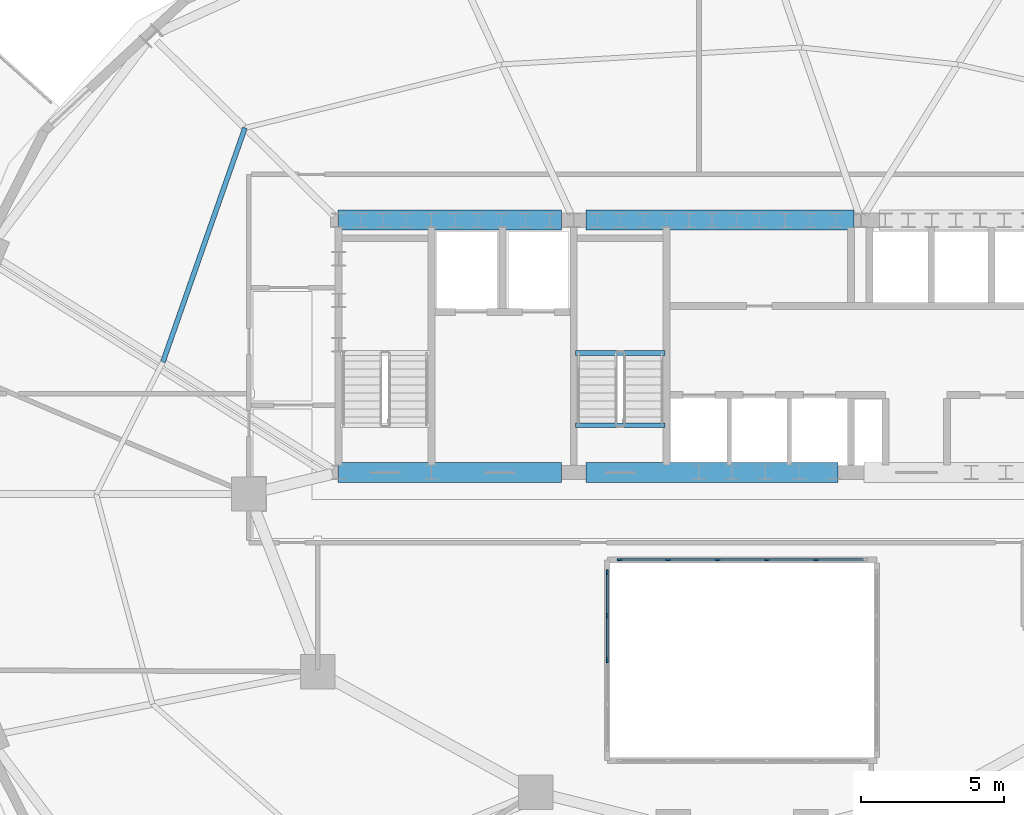
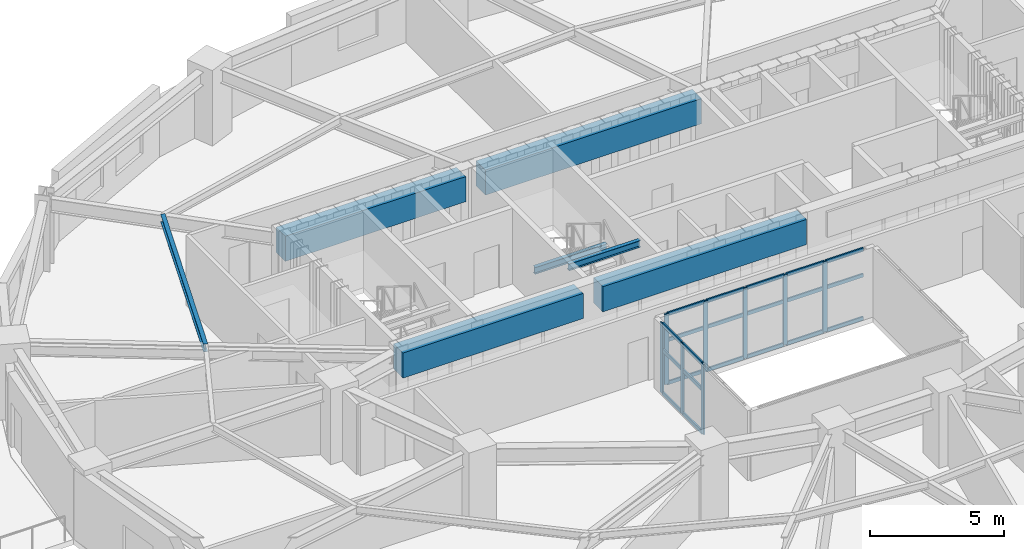
# One storey, part 3 of 12: 29 members, 7 beams, 2 elements without a shape of their own.
"""IFC4 building model written with IfcOpenShell, lengths in metres."""

from ifc_helpers import new_model, si_unit, direction, frame, origin, origin_2d, place, context, subcontext, project, spatial, rectangle, i_section, extrude, material, material_profile, profile_set, type_object, element, aggregate, save


model = new_model("IFC4")

# Units and contexts
model_context = context("Model", 3, precision=1e-05, world=origin(), true_north=direction((0.0, 1.0)))
body_context = subcontext(model_context, "Body", "Model", "MODEL_VIEW")
ifc_project = project(units=[si_unit("LENGTHUNIT", "METRE"), si_unit("AREAUNIT", "SQUARE_METRE"), si_unit("VOLUMEUNIT", "CUBIC_METRE"), si_unit("PLANEANGLEUNIT", "RADIAN"), si_unit("MASSUNIT", "GRAM", prefix="KILO")], contexts=[model_context])

# Site, building, storey
site_placement = place(None, origin())
site = spatial("IfcSite", under=ifc_project, at=site_placement, CompositionType="ELEMENT")
building_placement = place(site_placement, origin())
building = spatial("IfcBuilding", under=site, at=building_placement, Name="Haldorwick Loom Tower", CompositionType="ELEMENT")
storey_placement = place(building_placement, frame((0.0, 0.0, 117.35009765625)))
storey = spatial("IfcBuildingStorey", under=building, at=storey_placement, Name="L31", CompositionType="ELEMENT", Elevation=117.35009765625)

# Curtain wall, members
ifc_material_1 = material(Name="Thermally Broken Anodized Aluminium Curtain Wall Framing", Category="aluminium")
curtain_wall_type = type_object("IfcCurtainWallType", Name="ARC-CW-03", PredefinedType="NOTDEFINED", material=ifc_material_1)
curtain_wall_1_placement = place(storey_placement, origin())
curtain_wall_1 = element("IfcCurtainWall", 1, at=curtain_wall_1_placement, inside=storey, type_object=curtain_wall_type, Name="L31 Atrium Glazed Screen N", PredefinedType="NOTDEFINED")
ifc_material_profile_1 = material_profile(ifc_material_1, rectangle(XDim=0.06591796875, YDim=0.18505859375, at=origin_2d()), Name="ALU_MUL_66X185", Category="aluminium")
ifc_profile_set_1 = profile_set([ifc_material_profile_1], Name="Thermally Broken Anodized Aluminium Curtain Wall Framing")
member_type_1 = type_object("IfcMemberType", Name="ARC-CWM-03", PredefinedType="MULLION", material=ifc_profile_set_1)
member_1_placement = place(storey_placement, frame((31.73291015625, 23.699951171875, 0.0), z_axis=(0.0, 0.0, 1.0), x_axis=(0.0, 1.0, 0.0)))
member_1 = element("IfcMember", 2, at=member_1_placement, type_object=member_type_1, Name="CW-03 mullion 1", PredefinedType="MULLION", context=body_context, shape_type="SweptSolid", body=[
    extrude(rectangle(XDim=0.06591796875, YDim=0.18505859375, at=origin_2d()), origin(), (0.0, 0.0, 1.0), 3.2099609375),
])
member_2_placement = place(storey_placement, frame((33.419921875, 23.699951171875, 0.0), z_axis=(0.0, 0.0, 1.0), x_axis=(0.0, 1.0, 0.0)))
member_2 = element("IfcMember", 3, at=member_2_placement, type_object=member_type_1, Name="CW-03 mullion 2", PredefinedType="MULLION", context=body_context, shape_type="SweptSolid", body=[
    extrude(rectangle(XDim=0.06591796875, YDim=0.18505859375, at=origin_2d()), origin(), (0.0, 0.0, 1.0), 3.2099609375),
])
member_3_placement = place(storey_placement, frame((35.139892578125, 23.699951171875, 0.0), z_axis=(0.0, 0.0, 1.0), x_axis=(0.0, 1.0, 0.0)))
member_3 = element("IfcMember", 4, at=member_3_placement, type_object=member_type_1, Name="CW-03 mullion 3", PredefinedType="MULLION", context=body_context, shape_type="SweptSolid", body=[
    extrude(rectangle(XDim=0.06591796875, YDim=0.18505859375, at=origin_2d()), origin(), (0.0, 0.0, 1.0), 3.2099609375),
])
member_4_placement = place(storey_placement, frame((36.860107421875, 23.699951171875, 0.0), z_axis=(0.0, 0.0, 1.0), x_axis=(0.0, 1.0, 0.0)))
member_4 = element("IfcMember", 5, at=member_4_placement, type_object=member_type_1, Name="CW-03 mullion 4", PredefinedType="MULLION", context=body_context, shape_type="SweptSolid", body=[
    extrude(rectangle(XDim=0.06591796875, YDim=0.18505859375, at=origin_2d()), origin(), (0.0, 0.0, 1.0), 3.2099609375),
])
member_5_placement = place(storey_placement, frame((38.580078125, 23.699951171875, 0.0), z_axis=(0.0, 0.0, 1.0), x_axis=(0.0, 1.0, 0.0)))
member_5 = element("IfcMember", 6, at=member_5_placement, type_object=member_type_1, Name="CW-03 mullion 5", PredefinedType="MULLION", context=body_context, shape_type="SweptSolid", body=[
    extrude(rectangle(XDim=0.06591796875, YDim=0.18505859375, at=origin_2d()), origin(), (0.0, 0.0, 1.0), 3.2099609375),
])

curtain_wall_2_placement = place(storey_placement, origin())
curtain_wall_2 = element("IfcCurtainWall", 7, at=curtain_wall_2_placement, inside=storey, type_object=curtain_wall_type, Name="L31 Atrium Glazed Screen W", PredefinedType="NOTDEFINED")
member_6_placement = place(storey_placement, frame((31.300048828125, 20.199951171875, 0.0), z_axis=(0.0, 0.0, 1.0), x_axis=(-1.0, 0.0, 0.0)))
member_6 = element("IfcMember", 8, at=member_6_placement, type_object=member_type_1, Name="CW-03 mullion 3", PredefinedType="MULLION", context=body_context, shape_type="SweptSolid", body=[
    extrude(rectangle(XDim=0.06591796875, YDim=0.18505859375, at=origin_2d()), origin(), (0.0, 0.0, 1.0), 3.2099609375),
])
member_7_placement = place(storey_placement, frame((31.300048828125, 21.75, 0.0), z_axis=(0.0, 0.0, 1.0), x_axis=(-1.0, 0.0, 0.0)))
member_7 = element("IfcMember", 9, at=member_7_placement, type_object=member_type_1, Name="CW-03 mullion 4", PredefinedType="MULLION", context=body_context, shape_type="SweptSolid", body=[
    extrude(rectangle(XDim=0.06591796875, YDim=0.18505859375, at=origin_2d()), origin(), (0.0, 0.0, 1.0), 3.2099609375),
])
member_8_placement = place(storey_placement, frame((31.300048828125, 23.26708984375, 0.0), z_axis=(0.0, 0.0, 1.0), x_axis=(-1.0, 0.0, 0.0)))
member_8 = element("IfcMember", 10, at=member_8_placement, type_object=member_type_1, Name="CW-03 mullion 5", PredefinedType="MULLION", context=body_context, shape_type="SweptSolid", body=[
    extrude(rectangle(XDim=0.06591796875, YDim=0.18505859375, at=origin_2d()), origin(), (0.0, 0.0, 1.0), 3.2099609375),
])

# Member
ifc_material_profile_2 = material_profile(ifc_material_1, rectangle(XDim=0.06591796875, YDim=0.1650390625, at=origin_2d()), Name="ALU_TRN_66X165", Category="aluminium")
ifc_profile_set_2 = profile_set([ifc_material_profile_2], Name="Thermally Broken Anodized Aluminium Curtain Wall Framing")
member_type_2 = type_object("IfcMemberType", Name="ARC-CWT-03", PredefinedType="USERDEFINED", material=ifc_profile_set_2)
member_9_placement = place(storey_placement, frame((31.76611328125, 23.699951171875, 0.032958984375), z_axis=(1.0, 0.0, 0.0), x_axis=(0.0, 1.0, 0.0)))
member_9 = element("IfcMember", 11, at=member_9_placement, type_object=member_type_2, Name="CW-03 transom 1.1", ObjectType="TRANSOM", PredefinedType="USERDEFINED", context=body_context, shape_type="SweptSolid", body=[
    extrude(rectangle(XDim=0.06591796875, YDim=0.1650390625, at=origin_2d()), origin(), (0.0, 0.0, 1.0), 1.620849609375),
])

member_10_placement = place(storey_placement, frame((31.76611328125, 23.699951171875, 2.0), z_axis=(1.0, 0.0, 0.0), x_axis=(0.0, 1.0, 0.0)))
member_10 = element("IfcMember", 12, at=member_10_placement, type_object=member_type_2, Name="CW-03 transom 1.2", ObjectType="TRANSOM", PredefinedType="USERDEFINED", context=body_context, shape_type="SweptSolid", body=[
    extrude(rectangle(XDim=0.06591796875, YDim=0.1650390625, at=origin_2d()), origin(), (0.0, 0.0, 1.0), 1.620849609375),
])

member_11_placement = place(storey_placement, frame((31.76611328125, 23.699951171875, 3.177001953125), z_axis=(1.0, 0.0, 0.0), x_axis=(0.0, 1.0, 0.0)))
member_11 = element("IfcMember", 13, at=member_11_placement, type_object=member_type_2, Name="CW-03 transom 1.3", ObjectType="TRANSOM", PredefinedType="USERDEFINED", context=body_context, shape_type="SweptSolid", body=[
    extrude(rectangle(XDim=0.06591796875, YDim=0.1650390625, at=origin_2d()), origin(), (0.0, 0.0, 1.0), 1.620849609375),
])

member_12_placement = place(storey_placement, frame((33.452880859375, 23.699951171875, 0.032958984375), z_axis=(1.0, 0.0, 0.0), x_axis=(0.0, 1.0, 0.0)))
member_12 = element("IfcMember", 14, at=member_12_placement, type_object=member_type_2, Name="CW-03 transom 2.1", ObjectType="TRANSOM", PredefinedType="USERDEFINED", context=body_context, shape_type="SweptSolid", body=[
    extrude(rectangle(XDim=0.06591796875, YDim=0.1650390625, at=origin_2d()), origin(), (0.0, 0.0, 1.0), 1.654052734375),
])

member_13_placement = place(storey_placement, frame((33.452880859375, 23.699951171875, 2.0), z_axis=(1.0, 0.0, 0.0), x_axis=(0.0, 1.0, 0.0)))
member_13 = element("IfcMember", 15, at=member_13_placement, type_object=member_type_2, Name="CW-03 transom 2.2", ObjectType="TRANSOM", PredefinedType="USERDEFINED", context=body_context, shape_type="SweptSolid", body=[
    extrude(rectangle(XDim=0.06591796875, YDim=0.1650390625, at=origin_2d()), origin(), (0.0, 0.0, 1.0), 1.654052734375),
])

member_14_placement = place(storey_placement, frame((33.452880859375, 23.699951171875, 3.177001953125), z_axis=(1.0, 0.0, 0.0), x_axis=(0.0, 1.0, 0.0)))
member_14 = element("IfcMember", 16, at=member_14_placement, type_object=member_type_2, Name="CW-03 transom 2.3", ObjectType="TRANSOM", PredefinedType="USERDEFINED", context=body_context, shape_type="SweptSolid", body=[
    extrude(rectangle(XDim=0.06591796875, YDim=0.1650390625, at=origin_2d()), origin(), (0.0, 0.0, 1.0), 1.654052734375),
])

member_15_placement = place(storey_placement, frame((35.173095703125, 23.699951171875, 0.032958984375), z_axis=(1.0, 0.0, 0.0), x_axis=(0.0, 1.0, 0.0)))
member_15 = element("IfcMember", 17, at=member_15_placement, type_object=member_type_2, Name="CW-03 transom 3.1", ObjectType="TRANSOM", PredefinedType="USERDEFINED", context=body_context, shape_type="SweptSolid", body=[
    extrude(rectangle(XDim=0.06591796875, YDim=0.1650390625, at=origin_2d()), origin(), (0.0, 0.0, 1.0), 1.65380859375),
])

member_16_placement = place(storey_placement, frame((35.173095703125, 23.699951171875, 2.0), z_axis=(1.0, 0.0, 0.0), x_axis=(0.0, 1.0, 0.0)))
member_16 = element("IfcMember", 18, at=member_16_placement, type_object=member_type_2, Name="CW-03 transom 3.2", ObjectType="TRANSOM", PredefinedType="USERDEFINED", context=body_context, shape_type="SweptSolid", body=[
    extrude(rectangle(XDim=0.06591796875, YDim=0.1650390625, at=origin_2d()), origin(), (0.0, 0.0, 1.0), 1.65380859375),
])

member_17_placement = place(storey_placement, frame((35.173095703125, 23.699951171875, 3.177001953125), z_axis=(1.0, 0.0, 0.0), x_axis=(0.0, 1.0, 0.0)))
member_17 = element("IfcMember", 19, at=member_17_placement, type_object=member_type_2, Name="CW-03 transom 3.3", ObjectType="TRANSOM", PredefinedType="USERDEFINED", context=body_context, shape_type="SweptSolid", body=[
    extrude(rectangle(XDim=0.06591796875, YDim=0.1650390625, at=origin_2d()), origin(), (0.0, 0.0, 1.0), 1.65380859375),
])

member_18_placement = place(storey_placement, frame((36.89306640625, 23.699951171875, 0.032958984375), z_axis=(1.0, 0.0, 0.0), x_axis=(0.0, 1.0, 0.0)))
member_18 = element("IfcMember", 20, at=member_18_placement, type_object=member_type_2, Name="CW-03 transom 4.1", ObjectType="TRANSOM", PredefinedType="USERDEFINED", context=body_context, shape_type="SweptSolid", body=[
    extrude(rectangle(XDim=0.06591796875, YDim=0.1650390625, at=origin_2d()), origin(), (0.0, 0.0, 1.0), 1.654052734375),
])

member_19_placement = place(storey_placement, frame((36.89306640625, 23.699951171875, 2.0), z_axis=(1.0, 0.0, 0.0), x_axis=(0.0, 1.0, 0.0)))
member_19 = element("IfcMember", 21, at=member_19_placement, type_object=member_type_2, Name="CW-03 transom 4.2", ObjectType="TRANSOM", PredefinedType="USERDEFINED", context=body_context, shape_type="SweptSolid", body=[
    extrude(rectangle(XDim=0.06591796875, YDim=0.1650390625, at=origin_2d()), origin(), (0.0, 0.0, 1.0), 1.654052734375),
])

member_20_placement = place(storey_placement, frame((36.89306640625, 23.699951171875, 3.177001953125), z_axis=(1.0, 0.0, 0.0), x_axis=(0.0, 1.0, 0.0)))
member_20 = element("IfcMember", 22, at=member_20_placement, type_object=member_type_2, Name="CW-03 transom 4.3", ObjectType="TRANSOM", PredefinedType="USERDEFINED", context=body_context, shape_type="SweptSolid", body=[
    extrude(rectangle(XDim=0.06591796875, YDim=0.1650390625, at=origin_2d()), origin(), (0.0, 0.0, 1.0), 1.654052734375),
])

member_21_placement = place(storey_placement, frame((38.613037109375, 23.699951171875, 0.032958984375), z_axis=(1.0, 0.0, 0.0), x_axis=(0.0, 1.0, 0.0)))
member_21 = element("IfcMember", 23, at=member_21_placement, type_object=member_type_2, Name="CW-03 transom 5.1", ObjectType="TRANSOM", PredefinedType="USERDEFINED", context=body_context, shape_type="SweptSolid", body=[
    extrude(rectangle(XDim=0.06591796875, YDim=0.1650390625, at=origin_2d()), origin(), (0.0, 0.0, 1.0), 1.620849609375),
])

member_22_placement = place(storey_placement, frame((38.613037109375, 23.699951171875, 2.0), z_axis=(1.0, 0.0, 0.0), x_axis=(0.0, 1.0, 0.0)))
member_22 = element("IfcMember", 24, at=member_22_placement, type_object=member_type_2, Name="CW-03 transom 5.2", ObjectType="TRANSOM", PredefinedType="USERDEFINED", context=body_context, shape_type="SweptSolid", body=[
    extrude(rectangle(XDim=0.06591796875, YDim=0.1650390625, at=origin_2d()), origin(), (0.0, 0.0, 1.0), 1.620849609375),
])

member_23_placement = place(storey_placement, frame((38.613037109375, 23.699951171875, 3.177001953125), z_axis=(1.0, 0.0, 0.0), x_axis=(0.0, 1.0, 0.0)))
member_23 = element("IfcMember", 25, at=member_23_placement, type_object=member_type_2, Name="CW-03 transom 5.3", ObjectType="TRANSOM", PredefinedType="USERDEFINED", context=body_context, shape_type="SweptSolid", body=[
    extrude(rectangle(XDim=0.06591796875, YDim=0.1650390625, at=origin_2d()), origin(), (0.0, 0.0, 1.0), 1.620849609375),
])

aggregate(curtain_wall_1, [member_1, member_2, member_3, member_4, member_5, member_9, member_10, member_11, member_12, member_13, member_14, member_15, member_16, member_17, member_18, member_19, member_20, member_21, member_22, member_23])

member_24_placement = place(storey_placement, frame((31.300048828125, 20.23291015625, 0.032958984375), z_axis=(0.0, 1.0, 0.0), x_axis=(-1.0, 0.0, 0.0)))
member_24 = element("IfcMember", 26, at=member_24_placement, type_object=member_type_2, Name="CW-03 transom 3.1", ObjectType="TRANSOM", PredefinedType="USERDEFINED", context=body_context, shape_type="SweptSolid", body=[
    extrude(rectangle(XDim=0.06591796875, YDim=0.1650390625, at=origin_2d()), origin(), (0.0, 0.0, 1.0), 1.484130859375),
])

member_25_placement = place(storey_placement, frame((31.300048828125, 20.23291015625, 2.0), z_axis=(0.0, 1.0, 0.0), x_axis=(-1.0, 0.0, 0.0)))
member_25 = element("IfcMember", 27, at=member_25_placement, type_object=member_type_2, Name="CW-03 transom 3.2", ObjectType="TRANSOM", PredefinedType="USERDEFINED", context=body_context, shape_type="SweptSolid", body=[
    extrude(rectangle(XDim=0.06591796875, YDim=0.1650390625, at=origin_2d()), origin(), (0.0, 0.0, 1.0), 1.484130859375),
])

member_26_placement = place(storey_placement, frame((31.300048828125, 20.23291015625, 3.177001953125), z_axis=(0.0, 1.0, 0.0), x_axis=(-1.0, 0.0, 0.0)))
member_26 = element("IfcMember", 28, at=member_26_placement, type_object=member_type_2, Name="CW-03 transom 3.3", ObjectType="TRANSOM", PredefinedType="USERDEFINED", context=body_context, shape_type="SweptSolid", body=[
    extrude(rectangle(XDim=0.06591796875, YDim=0.1650390625, at=origin_2d()), origin(), (0.0, 0.0, 1.0), 1.484130859375),
])

member_27_placement = place(storey_placement, frame((31.300048828125, 21.782958984375, 0.032958984375), z_axis=(0.0, 1.0, 0.0), x_axis=(-1.0, 0.0, 0.0)))
member_27 = element("IfcMember", 29, at=member_27_placement, type_object=member_type_2, Name="CW-03 transom 4.1", ObjectType="TRANSOM", PredefinedType="USERDEFINED", context=body_context, shape_type="SweptSolid", body=[
    extrude(rectangle(XDim=0.06591796875, YDim=0.1650390625, at=origin_2d()), origin(), (0.0, 0.0, 1.0), 1.450927734375),
])

member_28_placement = place(storey_placement, frame((31.300048828125, 21.782958984375, 2.0), z_axis=(0.0, 1.0, 0.0), x_axis=(-1.0, 0.0, 0.0)))
member_28 = element("IfcMember", 30, at=member_28_placement, type_object=member_type_2, Name="CW-03 transom 4.2", ObjectType="TRANSOM", PredefinedType="USERDEFINED", context=body_context, shape_type="SweptSolid", body=[
    extrude(rectangle(XDim=0.06591796875, YDim=0.1650390625, at=origin_2d()), origin(), (0.0, 0.0, 1.0), 1.450927734375),
])

member_29_placement = place(storey_placement, frame((31.300048828125, 21.782958984375, 3.177001953125), z_axis=(0.0, 1.0, 0.0), x_axis=(-1.0, 0.0, 0.0)))
member_29 = element("IfcMember", 31, at=member_29_placement, type_object=member_type_2, Name="CW-03 transom 4.3", ObjectType="TRANSOM", PredefinedType="USERDEFINED", context=body_context, shape_type="SweptSolid", body=[
    extrude(rectangle(XDim=0.06591796875, YDim=0.1650390625, at=origin_2d()), origin(), (0.0, 0.0, 1.0), 1.450927734375),
])

aggregate(curtain_wall_2, [member_6, member_7, member_8, member_24, member_25, member_26, member_27, member_28, member_29])

# Beams
ifc_material_2 = material(Name="Concrete C60 (60 MPa)", Category="concrete")
ifc_material_profile_3 = material_profile(ifc_material_2, rectangle(XDim=0.699951171875, YDim=1.14990234375, at=origin_2d()), Name="RC700X1150", Category="concrete")
ifc_profile_set_3 = profile_set([ifc_material_profile_3], Name="Concrete C60 (60 MPa)")
beam_type_1 = type_object("IfcBeamType", Name="STR-BM-CB1150", PredefinedType="LINTEL", material=ifc_profile_set_3)
beam_1_placement = place(storey_placement, frame((21.89990234375, 35.550048828125, 2.635009765625), z_axis=(1.0, 0.0, 0.0), x_axis=(0.0, 1.0, 0.0)))
element("IfcBeam", 32, at=beam_1_placement, inside=storey, type_object=beam_type_1, Name="L31 Core Coupling Beam CB-N1", PredefinedType="LINTEL", context=body_context, shape_type="SweptSolid", body=[
    extrude(rectangle(XDim=0.699951171875, YDim=1.14990234375, at=origin_2d()), origin(), (0.0, 0.0, 1.0), 7.800048828125),
])
beam_2_placement = place(storey_placement, frame((30.550048828125, 35.550048828125, 2.635009765625), z_axis=(1.0, 0.0, 0.0), x_axis=(0.0, 1.0, 0.0)))
element("IfcBeam", 33, at=beam_2_placement, inside=storey, type_object=beam_type_1, Name="L31 Core Coupling Beam CB-N2", PredefinedType="LINTEL", context=body_context, shape_type="SweptSolid", body=[
    extrude(rectangle(XDim=0.699951171875, YDim=1.14990234375, at=origin_2d()), origin(), (0.0, 0.0, 1.0), 9.349853515625),
])
beam_3_placement = place(storey_placement, frame((21.89990234375, 26.75, 2.635009765625), z_axis=(1.0, 0.0, 0.0), x_axis=(0.0, 1.0, 0.0)))
element("IfcBeam", 34, at=beam_3_placement, inside=storey, type_object=beam_type_1, Name="L31 Core Coupling Beam CB-S1", PredefinedType="LINTEL", context=body_context, shape_type="SweptSolid", body=[
    extrude(rectangle(XDim=0.699951171875, YDim=1.14990234375, at=origin_2d()), origin(), (0.0, 0.0, 1.0), 7.800048828125),
])
beam_4_placement = place(storey_placement, frame((30.550048828125, 26.75, 2.635009765625), z_axis=(1.0, 0.0, 0.0), x_axis=(0.0, 1.0, 0.0)))
element("IfcBeam", 35, at=beam_4_placement, inside=storey, type_object=beam_type_1, Name="L31 Core Coupling Beam CB-S2", PredefinedType="LINTEL", context=body_context, shape_type="SweptSolid", body=[
    extrude(rectangle(XDim=0.699951171875, YDim=1.14990234375, at=origin_2d()), origin(), (0.0, 0.0, 1.0), 8.800048828125),
])
ifc_material_3 = material(Name="Steel CSA G40.21 350W", Category="steel")
ifc_material_profile_4 = material_profile(ifc_material_3, i_section(OverallWidth=0.172119140625, OverallDepth=0.35791015625, WebThickness=0.0078125, FlangeThickness=0.01318359375, at=origin_2d()), Name="W360X57", Category="steel")
ifc_profile_set_4 = profile_set([ifc_material_profile_4], Name="Steel CSA G40.21 350W")
beam_type_2 = type_object("IfcBeamType", Name="STR-BM-J360", PredefinedType="JOIST", material=ifc_profile_set_4)
beam_5_placement = place(storey_placement, frame((18.66162109375, 38.765869140625, 3.031005859375), z_axis=(-0.330864603503, -0.943678236556, 0.0), x_axis=(0.943678236556, -0.330864603503, 0.0)))
element("IfcBeam", 36, at=beam_5_placement, inside=storey, type_object=beam_type_2, Name="L31 Mid-Bay Secondary Joist 7", PredefinedType="JOIST", context=body_context, shape_type="SweptSolid", body=[
    extrude(i_section(OverallWidth=0.172119140625, OverallDepth=0.35791015625, WebThickness=0.0078125, FlangeThickness=0.01318359375, at=origin_2d()), origin(), (0.0, 0.0, 1.0), 8.6494140625),
])
ifc_material_profile_5 = material_profile(ifc_material_3, i_section(OverallWidth=0.166015625, OverallDepth=0.31298828125, WebThickness=0.006591796875, FlangeThickness=0.01123046875, at=origin_2d()), Name="W310X45", Category="steel")
ifc_profile_set_5 = profile_set([ifc_material_profile_5], Name="Steel CSA G40.21 350W")
beam_type_3 = type_object("IfcBeamType", Name="STR-BM-STRM", PredefinedType="BEAM", material=ifc_profile_set_5)
for number, where, z_axis, x_axis, name in (
    (37, (30.18994140625, 28.39990234375, 3.053466796875), (1.0, 0.0, 0.0), (0.0, 1.0, 0.0), "L31 Stair ST-03 Landing Edge Trimmer"),
    (38, (30.18994140625, 30.919921875, 1.368408203125), (1.0, 0.0, 0.0), (0.0, 1.0, 0.0), "L31 Stair ST-03 Half-Landing Trimmer 1"),
):
    element("IfcBeam", number, at=place(storey_placement, frame(where, z_axis=z_axis, x_axis=x_axis)), inside=storey, type_object=beam_type_3, Name=name, PredefinedType="BEAM", context=body_context, shape_type="SweptSolid", body=[
        extrude(i_section(OverallWidth=0.166015625, OverallDepth=0.31298828125, WebThickness=0.006591796875, FlangeThickness=0.01123046875, at=origin_2d()), origin(), (0.0, 0.0, 1.0), 3.1201171875),
    ])

save(model, "model.ifc")
